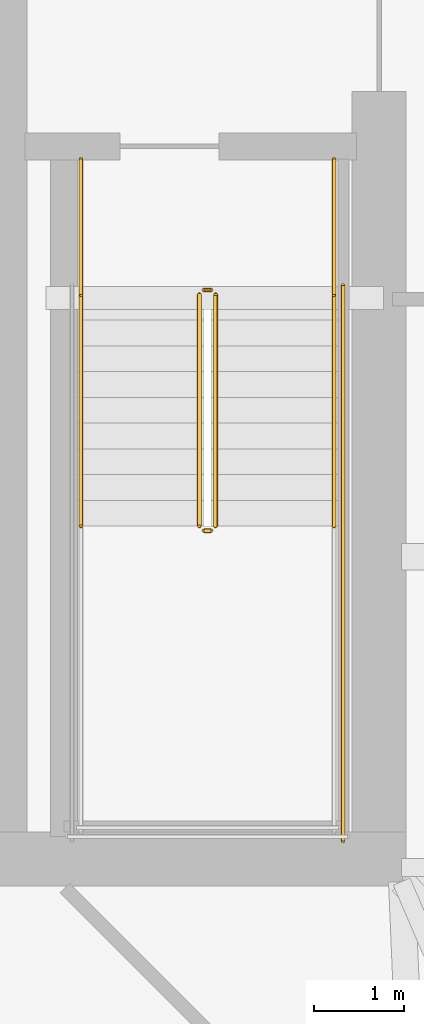
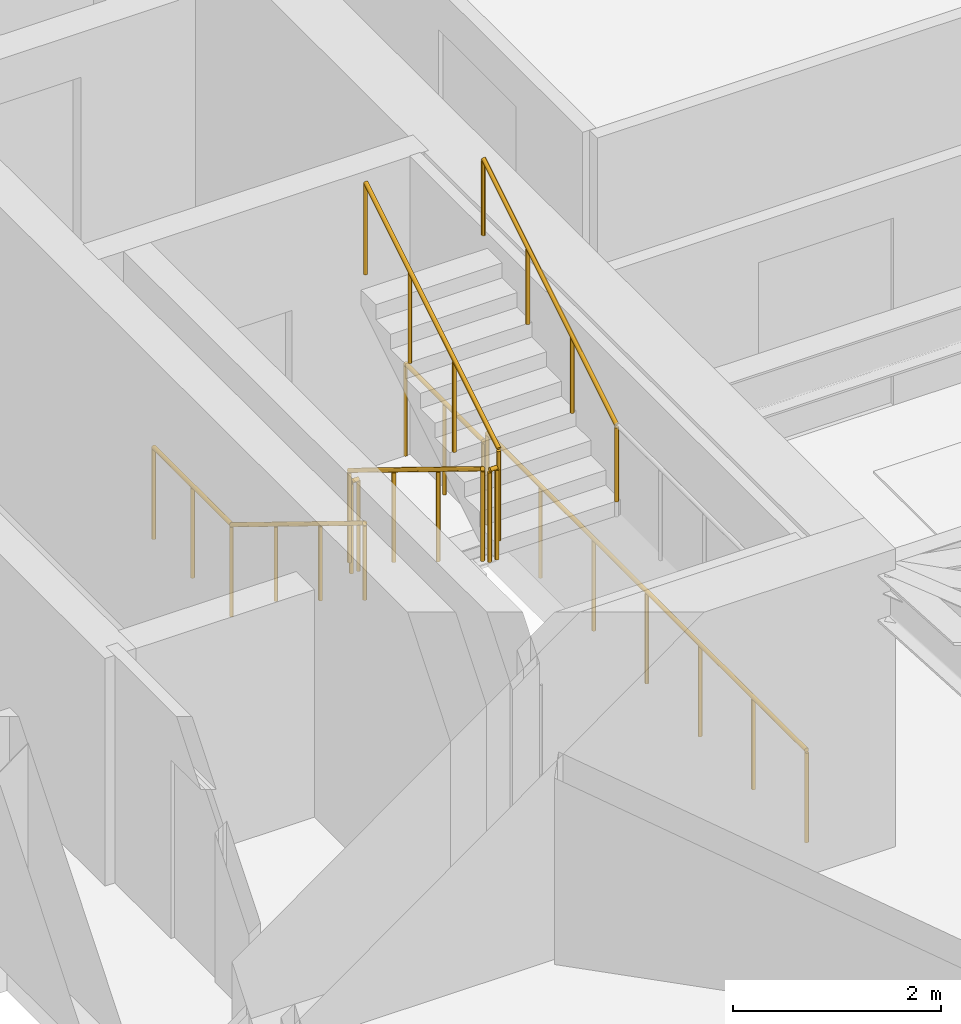
# One storey, part 20 of 21: 9 railings.
"""IFC4 building model written with IfcOpenShell, lengths in metres."""

from ifc_helpers import new_model, si_unit, direction, frame, origin, origin_2d, place, context, subcontext, project, spatial, circle, extrude, material, type_object, element, save


model = new_model("IFC4")

# Units and contexts
model_context = context("Model", 3, precision=1e-05, world=origin(), true_north=direction((0.0, 1.0)))
body_context = subcontext(model_context, "Body", "Model", "MODEL_VIEW")
ifc_project = project(units=[si_unit("LENGTHUNIT", "METRE"), si_unit("AREAUNIT", "SQUARE_METRE"), si_unit("VOLUMEUNIT", "CUBIC_METRE"), si_unit("PLANEANGLEUNIT", "RADIAN"), si_unit("MASSUNIT", "GRAM", prefix="KILO")], contexts=[model_context])

# Site, building, storey
site_placement = place(None, origin())
site = spatial("IfcSite", under=ifc_project, at=site_placement, CompositionType="ELEMENT")
building_placement = place(site_placement, origin())
building = spatial("IfcBuilding", under=site, at=building_placement, Name="Bramvorn Convention Spire", CompositionType="ELEMENT")
storey_placement = place(building_placement, frame((0.0, 0.0, 102.800048828125)))
storey = spatial("IfcBuildingStorey", under=building, at=storey_placement, Name="L24", CompositionType="ELEMENT", Elevation=102.800048828125)

# Railings
ifc_material_1 = material(Name="Painted Steel Balustrade & Guardrail", Category="steel")
railing_type_1 = type_object("IfcRailingType", Name="RL-STAIR-GUARD-1100", PredefinedType="GUARDRAIL", material=ifc_material_1)
railing_1_placement = place(storey_placement, frame((47.010009765625, 25.050048828125, 0.175048828125)))
element("IfcRailing", 1, at=railing_1_placement, inside=storey, type_object=railing_type_1, Name="L24 ST2 stair guard 1", PredefinedType="GUARDRAIL", context=body_context, shape_type="SweptSolid", body=[
    extrude(circle(Radius=0.02392578125, at=origin_2d()), frame((0.0, 0.0, 1.076171875), z_axis=(0.0, -0.852173129349, 0.523259933127), x_axis=(1.0, 0.0, 0.0)), (0.0, 0.0, 1.0), 3.009765625),
    extrude(circle(Radius=0.02099609375, at=origin_2d()), origin(), (0.0, 0.0, 1.0), 1.052001953125),
    extrude(circle(Radius=0.02099609375, at=origin_2d()), frame((0.0, -0.85498046875, 0.52490234375)), (0.0, 0.0, 1.0), 1.052001953125),
    extrude(circle(Radius=0.02099609375, at=origin_2d()), frame((0.0, -1.7099609375, 1.050048828125)), (0.0, 0.0, 1.0), 1.052001953125),
    extrude(circle(Radius=0.02099609375, at=origin_2d()), frame((0.0, -2.56494140625, 1.574951171875)), (0.0, 0.0, 1.0), 1.052001953125),
])
railing_2_placement = place(storey_placement, frame((47.06005859375, 22.43505859375, 1.75)))
element("IfcRailing", 2, at=railing_2_placement, inside=storey, type_object=railing_type_1, Name="L24 ST2 stair guard 2", PredefinedType="GUARDRAIL", context=body_context, shape_type="SweptSolid", body=[
    extrude(circle(Radius=0.02392578125, at=origin_2d()), frame((0.0, 0.0, 1.076171875), z_axis=(1.0, 0.0, 0.0), x_axis=(0.0, 1.0, 0.0)), (0.0, 0.0, 1.0), 0.079833984375),
    extrude(circle(Radius=0.02099609375, at=origin_2d()), origin(), (0.0, 0.0, 1.0), 1.052001953125),
    extrude(circle(Radius=0.02099609375, at=origin_2d()), frame((0.079833984375, 0.0, 0.0)), (0.0, 0.0, 1.0), 1.052001953125),
])
railing_3_placement = place(storey_placement, frame((47.18994140625, 22.485107421875, 1.925048828125)))
element("IfcRailing", 3, at=railing_3_placement, inside=storey, type_object=railing_type_1, Name="L24 ST2 stair guard 6", PredefinedType="GUARDRAIL", context=body_context, shape_type="SweptSolid", body=[
    extrude(circle(Radius=0.02392578125, at=origin_2d()), frame((0.0, 0.0, 1.076171875), z_axis=(0.0, 0.852173129349, 0.523259933127), x_axis=(-1.0, 0.0, 0.0)), (0.0, 0.0, 1.0), 3.009765625),
    extrude(circle(Radius=0.02099609375, at=origin_2d()), origin(), (0.0, 0.0, 1.0), 1.052001953125),
    extrude(circle(Radius=0.02099609375, at=origin_2d()), frame((0.0, 0.85498046875, 0.52490234375)), (0.0, 0.0, 1.0), 1.052001953125),
    extrude(circle(Radius=0.02099609375, at=origin_2d()), frame((0.0, 1.7099609375, 1.050048828125)), (0.0, 0.0, 1.0), 1.052001953125),
    extrude(circle(Radius=0.02099609375, at=origin_2d()), frame((0.0, 2.56494140625, 1.574951171875)), (0.0, 0.0, 1.0), 1.052001953125),
])
railing_4_placement = place(storey_placement, frame((47.06005859375, 25.10009765625, 0.0)))
element("IfcRailing", 4, at=railing_4_placement, inside=storey, type_object=railing_type_1, Name="L24 ST2 stair guard 7", PredefinedType="GUARDRAIL", context=body_context, shape_type="SweptSolid", body=[
    extrude(circle(Radius=0.02392578125, at=origin_2d()), frame((0.0, 0.0, 1.076171875), z_axis=(1.0, 0.0, 0.0), x_axis=(0.0, 1.0, 0.0)), (0.0, 0.0, 1.0), 0.079833984375),
    extrude(circle(Radius=0.02099609375, at=origin_2d()), origin(), (0.0, 0.0, 1.0), 1.052001953125),
    extrude(circle(Radius=0.02099609375, at=origin_2d()), frame((0.079833984375, 0.0, 0.0)), (0.0, 0.0, 1.0), 1.052001953125),
])
for number, where, name in (
    (5, (45.699951171875, 26.550048828125, 0.0), "L24 ST2 stair guard 8"),
    (6, (48.5, 26.550048828125, 0.0), "L24 ST2 stair guard 9"),
):
    element("IfcRailing", number, at=place(storey_placement, frame(where)), inside=storey, type_object=railing_type_1, Name=name, PredefinedType="GUARDRAIL", context=body_context, shape_type="SweptSolid", body=[
        extrude(circle(Radius=0.02392578125, at=origin_2d()), frame((0.0, 0.0, 1.076171875), z_axis=(0.0, -1.0, 0.0), x_axis=(1.0, 0.0, 0.0)), (0.0, 0.0, 1.0), 1.5),
        extrude(circle(Radius=0.02099609375, at=origin_2d()), origin(), (0.0, 0.0, 1.0), 1.052001953125),
        extrude(circle(Radius=0.02099609375, at=origin_2d()), frame((0.0, -0.75, 0.0)), (0.0, 0.0, 1.0), 1.052001953125),
        extrude(circle(Radius=0.02099609375, at=origin_2d()), frame((0.0, -1.5, 0.0)), (0.0, 0.0, 1.0), 1.052001953125),
    ])
railing_5_placement = place(storey_placement, frame((48.60009765625, 25.14990234375, 0.0)))
element("IfcRailing", 7, at=railing_5_placement, inside=storey, type_object=railing_type_1, Name="L24 ST2 stair guard 11", PredefinedType="GUARDRAIL", context=body_context, shape_type="SweptSolid", body=[
    extrude(circle(Radius=0.02392578125, at=origin_2d()), frame((0.0, 0.0, 1.076171875), z_axis=(0.0, -1.0, 0.0), x_axis=(1.0, 0.0, 0.0)), (0.0, 0.0, 1.0), 6.14990234375),
    extrude(circle(Radius=0.02099609375, at=origin_2d()), origin(), (0.0, 0.0, 1.0), 1.052001953125),
    extrude(circle(Radius=0.02099609375, at=origin_2d()), frame((0.0, -1.02490234375, 0.0)), (0.0, 0.0, 1.0), 1.052001953125),
    extrude(circle(Radius=0.02099609375, at=origin_2d()), frame((0.0, -2.050048828125, 0.0)), (0.0, 0.0, 1.0), 1.052001953125),
    extrude(circle(Radius=0.02099609375, at=origin_2d()), frame((0.0, -3.074951171875, 0.0)), (0.0, 0.0, 1.0), 1.052001953125),
    extrude(circle(Radius=0.02099609375, at=origin_2d()), frame((0.0, -4.099853515625, 0.0)), (0.0, 0.0, 1.0), 1.052001953125),
    extrude(circle(Radius=0.02099609375, at=origin_2d()), frame((0.0, -5.125, 0.0)), (0.0, 0.0, 1.0), 1.052001953125),
    extrude(circle(Radius=0.02099609375, at=origin_2d()), frame((0.0, -6.14990234375, 0.0)), (0.0, 0.0, 1.0), 1.052001953125),
])
ifc_material_2 = material(Name="Brushed Bronze Tubular Handrail", Category="aluminium")
railing_type_2 = type_object("IfcRailingType", Name="RL-STAIR-HR-920", PredefinedType="HANDRAIL", material=ifc_material_2)
railing_6_placement = place(storey_placement, frame((45.699951171875, 25.050048828125, 0.175048828125)))
element("IfcRailing", 8, at=railing_6_placement, inside=storey, type_object=railing_type_2, Name="L24 ST2 stair handrail 1", PredefinedType="HANDRAIL", context=body_context, shape_type="SweptSolid", body=[
    extrude(circle(Radius=0.02392578125, at=origin_2d()), frame((0.0, 0.0, 0.89599609375), z_axis=(0.0, -0.852173129349, 0.523259933127), x_axis=(1.0, 0.0, 0.0)), (0.0, 0.0, 1.0), 3.009765625),
    extrude(circle(Radius=0.02099609375, at=origin_2d()), origin(), (0.0, 0.0, 1.0), 0.871826171875),
    extrude(circle(Radius=0.02099609375, at=origin_2d()), frame((0.0, -0.85498046875, 0.52490234375)), (0.0, 0.0, 1.0), 0.871826171875),
    extrude(circle(Radius=0.02099609375, at=origin_2d()), frame((0.0, -1.7099609375, 1.050048828125)), (0.0, 0.0, 1.0), 0.871826171875),
    extrude(circle(Radius=0.02099609375, at=origin_2d()), frame((0.0, -2.56494140625, 1.574951171875)), (0.0, 0.0, 1.0), 0.871826171875),
])
railing_7_placement = place(storey_placement, frame((48.5, 22.485107421875, 1.925048828125)))
element("IfcRailing", 9, at=railing_7_placement, inside=storey, type_object=railing_type_2, Name="L24 ST2 stair handrail 2", PredefinedType="HANDRAIL", context=body_context, shape_type="SweptSolid", body=[
    extrude(circle(Radius=0.02392578125, at=origin_2d()), frame((0.0, 0.0, 0.89599609375), z_axis=(0.0, 0.852173129349, 0.523259933127), x_axis=(-1.0, 0.0, 0.0)), (0.0, 0.0, 1.0), 3.009765625),
    extrude(circle(Radius=0.02099609375, at=origin_2d()), origin(), (0.0, 0.0, 1.0), 0.871826171875),
    extrude(circle(Radius=0.02099609375, at=origin_2d()), frame((0.0, 0.85498046875, 0.52490234375)), (0.0, 0.0, 1.0), 0.871826171875),
    extrude(circle(Radius=0.02099609375, at=origin_2d()), frame((0.0, 1.7099609375, 1.050048828125)), (0.0, 0.0, 1.0), 0.871826171875),
    extrude(circle(Radius=0.02099609375, at=origin_2d()), frame((0.0, 2.56494140625, 1.574951171875)), (0.0, 0.0, 1.0), 0.871826171875),
])

save(model, "model.ifc")
